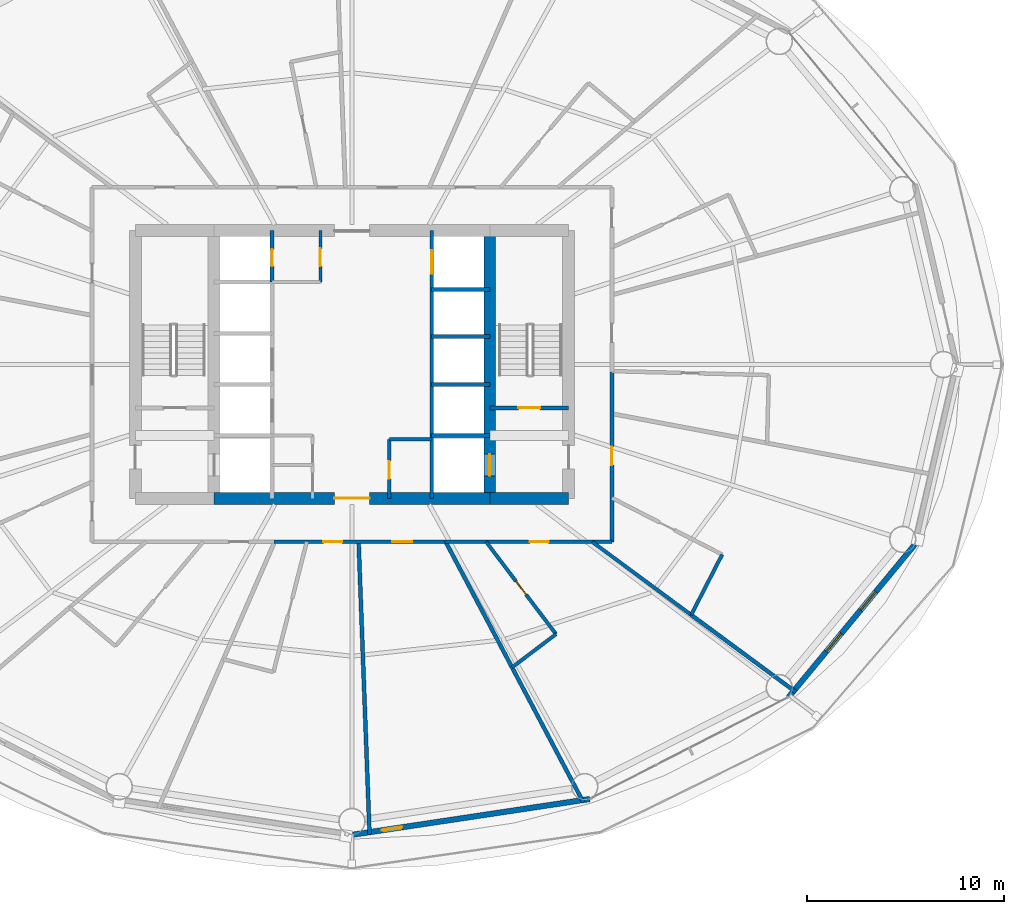
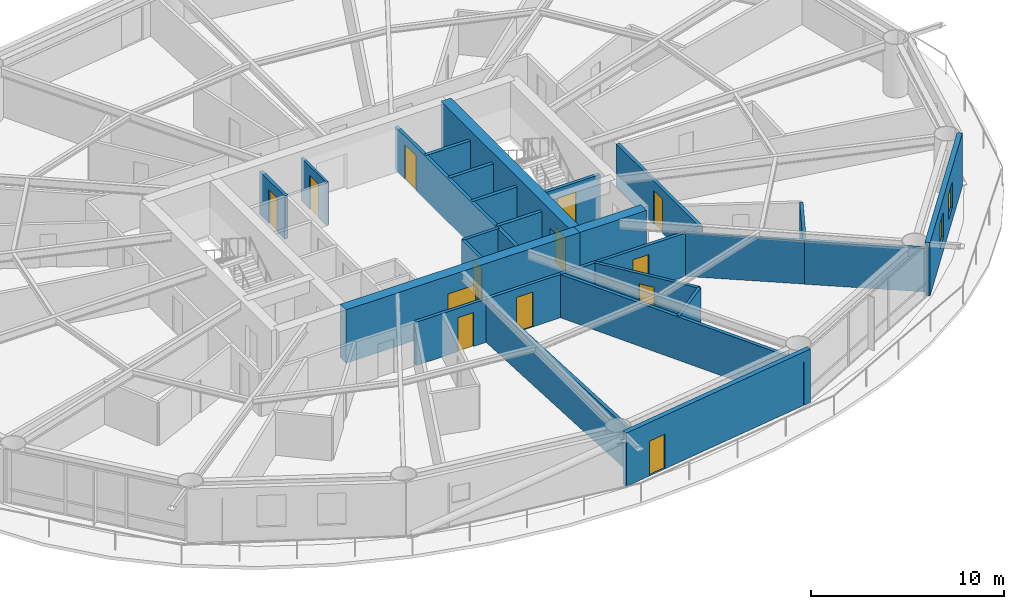
# One storey, part 21 of 26: 26 walls, 13 doors, 2 windows, 15 openings.
"""IFC4 building model written with IfcOpenShell, lengths in metres."""

from ifc_helpers import new_model, si_unit, direction, frame, frame_2d, origin, place, context, subcontext, project, spatial, rectangle, extrude, material, layer, layer_set, type_object, element, fill, save


model = new_model("IFC4")

# Units and contexts
model_context = context("Model", 3, precision=1e-05, world=origin(), true_north=direction((0.0, 1.0)))
body_context = subcontext(model_context, "Body", "Model", "MODEL_VIEW")
ifc_project = project(units=[si_unit("LENGTHUNIT", "METRE"), si_unit("AREAUNIT", "SQUARE_METRE"), si_unit("VOLUMEUNIT", "CUBIC_METRE"), si_unit("PLANEANGLEUNIT", "RADIAN"), si_unit("MASSUNIT", "GRAM", prefix="KILO")], contexts=[model_context])

# Site, building, storey
site_placement = place(None, origin())
site = spatial("IfcSite", under=ifc_project, at=site_placement, CompositionType="ELEMENT")
building_placement = place(site_placement, origin())
building = spatial("IfcBuilding", under=site, at=building_placement, Name="Sarneth Arch Tower", CompositionType="ELEMENT")
storey_placement = place(building_placement, frame((0.0, 0.0, 39.0)))
storey = spatial("IfcBuildingStorey", under=building, at=storey_placement, Name="L08", CompositionType="ELEMENT", Elevation=39.0)

# Wall, opening, door
ifc_material_1 = material(Name="Concrete C60/75", Category="concrete")
ifc_layer_1 = layer(ifc_material_1, 0.60009765625)
ifc_layer_set_1 = layer_set([ifc_layer_1], Name="Concrete C60/75")
wall_type_1 = type_object("IfcWallType", Name="WALL-CORE-600", PredefinedType="SHEAR", material=ifc_layer_set_1)
wall_1_placement = place(storey_placement, frame((41.0, 35.199951171875, 0.0), z_axis=(0.0, 0.0, 1.0), x_axis=(1.0, 0.0, 0.0)))
wall_1 = element("IfcWall", 1, at=wall_1_placement, inside=storey, type_object=wall_type_1, Name="L08 Core shear wall S-M", PredefinedType="SHEAR", context=body_context, shape_type="SweptSolid", body=[
    extrude(rectangle(XDim=14.0, YDim=0.60009765625, at=frame_2d((7.0, 0.0))), origin(), (0.0, 0.0, 1.0), 3.3798828125),
])
opening_1_placement = place(wall_1_placement, frame((6.10009765625, 0.0, 0.0)))
opening_1 = element("IfcOpeningElement", 2, at=opening_1_placement, cuts=wall_1, Name="Opening FD-01", PredefinedType="OPENING", context=body_context, shape_type="SweptSolid", body=[
    extrude(rectangle(XDim=1.800048828125, YDim=2.25, at=frame_2d((0.89990234375, 1.125))), frame((0.0, 0.31005859375, 0.0), z_axis=(0.0, -1.0, 0.0), x_axis=(1.0, 0.0, 0.0)), (0.0, 0.0, 1.0), 0.6201171875),
])
ifc_material_2 = material(Name="Galvanised Steel S275 fire door set", Category="steel")
door_type_1 = type_object("IfcDoorType", Name="DR-FD90-1800", OperationType="DOUBLE_DOOR_SINGLE_SWING", PredefinedType="DOOR", material=ifc_material_2)
door_1_placement = place(opening_1_placement, origin())
door_1 = element("IfcDoor", 3, at=door_1_placement, inside=storey, type_object=door_type_1, Name="L08 Central lift lobby south door", OperationType="DOUBLE_DOOR_SINGLE_SWING", OverallHeight=2.25, OverallWidth=1.800048828125, PredefinedType="DOOR", context=body_context, shape_type="SweptSolid", body=[
    extrude(rectangle(XDim=1.800048828125, YDim=2.25, at=frame_2d((0.89990234375, 1.125))), frame((0.0, 0.02490234375, 0.0), z_axis=(0.0, -1.0, 0.0), x_axis=(1.0, 0.0, 0.0)), (0.0, 0.0, 1.0), 0.050048828125),
])
fill(opening_1, door_1)

# Wall
wall_2_placement = place(storey_placement, frame((55.0, 35.199951171875, 0.0), z_axis=(0.0, 0.0, 1.0), x_axis=(1.0, 0.0, 0.0)))
element("IfcWall", 4, at=wall_2_placement, inside=storey, type_object=wall_type_1, Name="L08 Core shear wall S-E", PredefinedType="SHEAR", context=body_context, shape_type="SweptSolid", body=[
    extrude(rectangle(XDim=4.0, YDim=0.60009765625, at=frame_2d((2.0, 0.0))), origin(), (0.0, 0.0, 1.0), 3.3798828125),
])

# Wall, opening, door
wall_3_placement = place(storey_placement, frame((55.0, 35.199951171875, 0.0), z_axis=(0.0, 0.0, 1.0), x_axis=(0.0, 1.0, 0.0)))
wall_3 = element("IfcWall", 5, at=wall_3_placement, inside=storey, type_object=wall_type_1, Name="L08 Core shear wall WEB-E", PredefinedType="SHEAR", context=body_context, shape_type="SweptSolid", body=[
    extrude(rectangle(XDim=13.60009765625, YDim=0.60009765625, at=frame_2d((6.800048828125, 0.0))), origin(), (0.0, 0.0, 1.0), 3.3798828125),
])
opening_2_placement = place(wall_3_placement, frame((1.14990234375, 0.0, 0.0)))
opening_2 = element("IfcOpeningElement", 6, at=opening_2_placement, cuts=wall_3, Name="Opening LD-1", PredefinedType="OPENING", context=body_context, shape_type="SweptSolid", body=[
    extrude(rectangle(XDim=1.10009765625, YDim=2.199951171875, at=frame_2d((0.550048828125, 1.10009765625))), frame((0.0, 0.31005859375, 0.0), z_axis=(0.0, -1.0, 0.0), x_axis=(1.0, 0.0, 0.0)), (0.0, 0.0, 1.0), 0.6201171875),
])
ifc_material_3 = material(Name="Brushed Stainless Steel 304 lift landing door", Category="steel")
door_type_2 = type_object("IfcDoorType", Name="DR-LIFT-SLIDE-1100", OperationType="SLIDING_TO_LEFT", PredefinedType="DOOR", material=ifc_material_3)
door_2_placement = place(opening_2_placement, origin())
door_2 = element("IfcDoor", 7, at=door_2_placement, inside=storey, type_object=door_type_2, Name="L08 Firefighting lift landing door FL-2", OperationType="SLIDING_TO_RIGHT", OverallHeight=2.199951171875, OverallWidth=1.10009765625, PredefinedType="DOOR", context=body_context, shape_type="SweptSolid", body=[
    extrude(rectangle(XDim=1.10009765625, YDim=2.199951171875, at=frame_2d((0.550048828125, 1.10009765625))), frame((0.0, 0.02490234375, 0.0), z_axis=(0.0, -1.0, 0.0), x_axis=(1.0, 0.0, 0.0)), (0.0, 0.0, 1.0), 0.050048828125),
])
fill(opening_2, door_2)

ifc_material_4 = material(Name="Double steel-stud corridor fire wall", Category="steel")
ifc_layer_2 = layer(ifc_material_4, 0.18994140625)
ifc_layer_set_2 = layer_set([ifc_layer_2], Name="Double steel-stud corridor fire wall")
wall_type_2 = type_object("IfcWallType", Name="WALL-CORR-190", PredefinedType="PARTITIONING", material=ifc_layer_set_2)
wall_4_placement = place(storey_placement, frame((61.199951171875, 33.0, 0.0), z_axis=(0.0, 0.0, 1.0), x_axis=(-1.0, 0.0, 0.0)))
wall_4 = element("IfcWall", 8, at=wall_4_placement, inside=storey, type_object=wall_type_2, Name="L08 Interior partition W-L08-TP-023", PredefinedType="PARTITIONING", context=body_context, shape_type="SweptSolid", body=[
    extrude(rectangle(XDim=8.4794921875, YDim=0.18994140625, at=frame_2d((4.23974609375, 0.0))), origin(), (0.0, 0.0, 1.0), 2.739990234375),
])
opening_3_placement = place(wall_4_placement, frame((3.2158203125, 0.0, 0.0)))
opening_3 = element("IfcOpeningElement", 9, at=opening_3_placement, cuts=wall_4, Name="Opening FD-09", PredefinedType="OPENING", context=body_context, shape_type="SweptSolid", body=[
    extrude(rectangle(XDim=0.949951171875, YDim=2.14990234375, at=frame_2d((0.47509765625, 1.074951171875))), frame((0.0, 0.10498046875, 0.0), z_axis=(0.0, -1.0, 0.0), x_axis=(1.0, 0.0, 0.0)), (0.0, 0.0, 1.0), 0.2099609375),
])
ifc_material_5 = material(Name="Hardwood timber hotel entrance fire door", Category="wood")
door_type_3 = type_object("IfcDoorType", Name="DR-FD60-950", OperationType="SINGLE_SWING_RIGHT", PredefinedType="DOOR", material=ifc_material_5)
door_3_placement = place(opening_3_placement, origin())
door_3 = element("IfcDoor", 10, at=door_3_placement, inside=storey, type_object=door_type_3, Name="L08 Interior door DR-L08-KEY-12", OperationType="SINGLE_SWING_LEFT", OverallHeight=2.14990234375, OverallWidth=0.949951171875, PredefinedType="DOOR", context=body_context, shape_type="SweptSolid", body=[
    extrude(rectangle(XDim=0.949951171875, YDim=2.14990234375, at=frame_2d((0.47509765625, 1.074951171875))), frame((0.0, 0.02490234375, 0.0), z_axis=(0.0, -1.0, 0.0), x_axis=(1.0, 0.0, 0.0)), (0.0, 0.0, 1.0), 0.050048828125),
])
fill(opening_3, door_3)

# Wall, openings, doors
wall_5_placement = place(storey_placement, frame((52.792724609375, 33.0, 0.0), z_axis=(0.0, 0.0, 1.0), x_axis=(-1.0, 0.0, 0.0)))
wall_5 = element("IfcWall", 11, at=wall_5_placement, inside=storey, type_object=wall_type_2, Name="L08 Interior partition W-L08-TP-022", PredefinedType="PARTITIONING", context=body_context, shape_type="SweptSolid", body=[
    extrude(rectangle(XDim=8.75439453125, YDim=0.18994140625, at=frame_2d((4.377197265625, 0.0))), origin(), (0.0, 0.0, 1.0), 2.739990234375),
])
opening_4_placement = place(wall_5_placement, frame((1.743896484375, 0.0, 0.0)))
opening_4 = element("IfcOpeningElement", 12, at=opening_4_placement, cuts=wall_5, Name="Opening FD-08", PredefinedType="OPENING", context=body_context, shape_type="SweptSolid", body=[
    extrude(rectangle(XDim=1.0, YDim=2.199951171875, at=frame_2d((0.5, 1.10009765625))), frame((0.0, 0.10498046875, 0.0), z_axis=(0.0, -1.0, 0.0), x_axis=(1.0, 0.0, 0.0)), (0.0, 0.0, 1.0), 0.2099609375),
])
opening_5_placement = place(wall_5_placement, frame((5.298095703125, 0.0, 0.0)))
opening_5 = element("IfcOpeningElement", 13, at=opening_5_placement, cuts=wall_5, Name="Opening FD-09", PredefinedType="OPENING", context=body_context, shape_type="SweptSolid", body=[
    extrude(rectangle(XDim=0.949951171875, YDim=2.14990234375, at=frame_2d((0.47509765625, 1.074951171875))), frame((0.0, 0.10498046875, 0.0), z_axis=(0.0, -1.0, 0.0), x_axis=(1.0, 0.0, 0.0)), (0.0, 0.0, 1.0), 0.2099609375),
])
ifc_material_6 = material(Name="Hardwood timber acoustic fire door", Category="wood")
door_type_4 = type_object("IfcDoorType", Name="DR-FD60-1000", OperationType="SINGLE_SWING_LEFT", PredefinedType="DOOR", material=ifc_material_6)
door_4_placement = place(opening_4_placement, origin())
door_4 = element("IfcDoor", 14, at=door_4_placement, inside=storey, type_object=door_type_4, Name="L08 Interior door DR-L08-AMN-11", OperationType="SINGLE_SWING_RIGHT", OverallHeight=2.199951171875, OverallWidth=1.0, PredefinedType="DOOR", context=body_context, shape_type="SweptSolid", body=[
    extrude(rectangle(XDim=1.0, YDim=2.199951171875, at=frame_2d((0.5, 1.10009765625))), frame((0.0, 0.02490234375, 0.0), z_axis=(0.0, -1.0, 0.0), x_axis=(1.0, 0.0, 0.0)), (0.0, 0.0, 1.0), 0.050048828125),
])
fill(opening_4, door_4)
door_5_placement = place(opening_5_placement, origin())
door_5 = element("IfcDoor", 15, at=door_5_placement, inside=storey, type_object=door_type_3, Name="L08 Interior door DR-L08-KEY-10", OperationType="SINGLE_SWING_RIGHT", OverallHeight=2.14990234375, OverallWidth=0.949951171875, PredefinedType="DOOR", context=body_context, shape_type="SweptSolid", body=[
    extrude(rectangle(XDim=0.949951171875, YDim=2.14990234375, at=frame_2d((0.47509765625, 1.074951171875))), frame((0.0, 0.02490234375, 0.0), z_axis=(0.0, -1.0, 0.0), x_axis=(1.0, 0.0, 0.0)), (0.0, 0.0, 1.0), 0.050048828125),
])
fill(opening_5, door_5)

# Wall, opening, door
wall_6_placement = place(storey_placement, frame((61.199951171875, 41.6962890625, 0.0), z_axis=(0.0, 0.0, 1.0), x_axis=(0.0, -1.0, 0.0)))
wall_6 = element("IfcWall", 16, at=wall_6_placement, inside=storey, type_object=wall_type_2, Name="L08 Interior partition W-L08-TP-025", PredefinedType="PARTITIONING", context=body_context, shape_type="SweptSolid", body=[
    extrude(rectangle(XDim=8.6962890625, YDim=0.18994140625, at=frame_2d((4.34814453125, 0.0))), origin(), (0.0, 0.0, 1.0), 2.739990234375),
])
opening_6_placement = place(wall_6_placement, frame((3.859619140625, 0.0, 0.0)))
opening_6 = element("IfcOpeningElement", 17, at=opening_6_placement, cuts=wall_6, Name="Opening FD-09", PredefinedType="OPENING", context=body_context, shape_type="SweptSolid", body=[
    extrude(rectangle(XDim=0.949951171875, YDim=2.14990234375, at=frame_2d((0.47509765625, 1.074951171875))), frame((0.0, 0.10498046875, 0.0), z_axis=(0.0, -1.0, 0.0), x_axis=(1.0, 0.0, 0.0)), (0.0, 0.0, 1.0), 0.2099609375),
])
door_6_placement = place(opening_6_placement, origin())
door_6 = element("IfcDoor", 18, at=door_6_placement, inside=storey, type_object=door_type_3, Name="L08 Interior door DR-L08-KEY-13", OperationType="SINGLE_SWING_LEFT", OverallHeight=2.14990234375, OverallWidth=0.949951171875, PredefinedType="DOOR", context=body_context, shape_type="SweptSolid", body=[
    extrude(rectangle(XDim=0.949951171875, YDim=2.14990234375, at=frame_2d((0.47509765625, 1.074951171875))), frame((0.0, 0.02490234375, 0.0), z_axis=(0.0, -1.0, 0.0), x_axis=(1.0, 0.0, 0.0)), (0.0, 0.0, 1.0), 0.050048828125),
])
fill(opening_6, door_6)

ifc_material_7 = material(Name="Extruded terracotta rainscreen on Concrete C40/50 backing", Category="masonry")
ifc_layer_3 = layer(ifc_material_7, 0.280029296875)
ifc_layer_set_3 = layer_set([ifc_layer_3], Name="Extruded terracotta rainscreen on Concrete C40/50 backing")
wall_type_3 = type_object("IfcWallType", Name="WALL-EXT-TERRA-280", PredefinedType="SOLIDWALL", material=ifc_layer_set_3)
wall_7_placement = place(storey_placement, frame((48.0, 18.1201171875, 0.0), z_axis=(0.0, 0.0, 1.0), x_axis=(0.988864835849, 0.148816452121, 0.0)))
wall_7 = element("IfcWall", 19, at=wall_7_placement, inside=storey, type_object=wall_type_3, Name="L08 Terracotta perimeter wall 13", PredefinedType="SOLIDWALL", context=body_context, shape_type="SweptSolid", body=[
    extrude(rectangle(XDim=12.2138671875, YDim=0.280029296875, at=frame_2d((6.10693359375, 0.0))), origin(), (0.0, 0.0, 1.0), 3.3798828125),
])
opening_7_placement = place(wall_7_placement, frame((1.53125, 0.0, 0.0)))
opening_7 = element("IfcOpeningElement", 20, at=opening_7_placement, cuts=wall_7, Name="Opening BD-4", PredefinedType="OPENING", context=body_context, shape_type="SweptSolid", body=[
    extrude(rectangle(XDim=1.050048828125, YDim=2.199951171875, at=frame_2d((0.52490234375, 1.10009765625))), frame((0.0, 0.14990234375, 0.0), z_axis=(0.0, -1.0, 0.0), x_axis=(1.0, 0.0, 0.0)), (0.0, 0.0, 1.0), 0.300048828125),
])
ifc_material_8 = material(Name="Thermally broken Aluminium 6063-T6 and laminated safety glass", Category="aluminium")
door_type_5 = type_object("IfcDoorType", Name="DR-BALC-GLZ-1050", OperationType="SINGLE_SWING_RIGHT", PredefinedType="DOOR", material=ifc_material_8)
door_7_placement = place(opening_7_placement, origin())
door_7 = element("IfcDoor", 21, at=door_7_placement, inside=storey, type_object=door_type_5, Name="L08 Balcony glazed door 13", OperationType="SINGLE_SWING_RIGHT", OverallHeight=2.199951171875, OverallWidth=1.050048828125, PredefinedType="DOOR", context=body_context, shape_type="SweptSolid", body=[
    extrude(rectangle(XDim=1.050048828125, YDim=2.199951171875, at=frame_2d((0.52490234375, 1.10009765625))), frame((0.0, 0.02490234375, 0.0), z_axis=(0.0, -1.0, 0.0), x_axis=(1.0, 0.0, 0.0)), (0.0, 0.0, 1.0), 0.050048828125),
])
fill(opening_7, door_7)

# Wall, openings, windows
wall_8_placement = place(storey_placement, frame((70.174072265625, 25.1142578125, 0.0), z_axis=(0.0, 0.0, 1.0), x_axis=(0.637296809613, 0.770618437657, 0.0)))
wall_8 = element("IfcWall", 22, at=wall_8_placement, inside=storey, type_object=wall_type_3, Name="L08 Terracotta perimeter wall 15", PredefinedType="SOLIDWALL", context=body_context, shape_type="SweptSolid", body=[
    extrude(rectangle(XDim=10.053466796875, YDim=0.280029296875, at=frame_2d((5.02685546875, 0.0))), origin(), (0.0, 0.0, 1.0), 3.3798828125),
])
opening_8_placement = place(wall_8_placement, frame((2.998046875, 0.0, 0.85009765625)))
opening_8 = element("IfcOpeningElement", 23, at=opening_8_placement, cuts=wall_8, Name="Opening W-10", PredefinedType="OPENING", context=body_context, shape_type="SweptSolid", body=[
    extrude(rectangle(XDim=1.199951171875, YDim=1.60009765625, at=frame_2d((0.60009765625, 0.800048828125))), frame((0.0, 0.14990234375, 0.0), z_axis=(0.0, -1.0, 0.0), x_axis=(1.0, 0.0, 0.0)), (0.0, 0.0, 1.0), 0.300048828125),
])
opening_9_placement = place(wall_8_placement, frame((5.729736328125, 0.0, 0.85009765625)))
opening_9 = element("IfcOpeningElement", 24, at=opening_9_placement, cuts=wall_8, Name="Opening W-10", PredefinedType="OPENING", context=body_context, shape_type="SweptSolid", body=[
    extrude(rectangle(XDim=1.199951171875, YDim=1.60009765625, at=frame_2d((0.60009765625, 0.800048828125))), frame((0.0, 0.14990234375, 0.0), z_axis=(0.0, -1.0, 0.0), x_axis=(1.0, 0.0, 0.0)), (0.0, 0.0, 1.0), 0.300048828125),
])
ifc_material_9 = material(Name="Thermally broken Aluminium 6063-T6 and low-e laminated IGU", Category="aluminium")
window_type = type_object("IfcWindowType", Name="WIN-TWR-1200x1600", PartitioningType="SINGLE_PANEL", PredefinedType="WINDOW", material=ifc_material_9)
window_1_placement = place(opening_8_placement, origin())
window_1 = element("IfcWindow", 25, at=window_1_placement, inside=storey, type_object=window_type, Name="L08 Exterior window 15A", OverallHeight=1.60009765625, OverallWidth=1.199951171875, PartitioningType="SINGLE_PANEL", PredefinedType="WINDOW", context=body_context, shape_type="SweptSolid", body=[
    extrude(rectangle(XDim=1.199951171875, YDim=1.60009765625, at=frame_2d((0.60009765625, 0.800048828125))), frame((0.0, 0.030029296875, 0.0), z_axis=(0.0, -1.0, 0.0), x_axis=(1.0, 0.0, 0.0)), (0.0, 0.0, 1.0), 0.06005859375),
])
fill(opening_8, window_1)
window_2_placement = place(opening_9_placement, origin())
window_2 = element("IfcWindow", 26, at=window_2_placement, inside=storey, type_object=window_type, Name="L08 Exterior window 15B", OverallHeight=1.60009765625, OverallWidth=1.199951171875, PartitioningType="SINGLE_PANEL", PredefinedType="WINDOW", context=body_context, shape_type="SweptSolid", body=[
    extrude(rectangle(XDim=1.199951171875, YDim=1.60009765625, at=frame_2d((0.60009765625, 0.800048828125))), frame((0.0, 0.030029296875, 0.0), z_axis=(0.0, -1.0, 0.0), x_axis=(1.0, 0.0, 0.0)), (0.0, 0.0, 1.0), 0.06005859375),
])
fill(opening_9, window_2)

# Wall, opening, door
ifc_material_10 = material(Name="Acoustic gypsum stud partition", Category="gypsum")
ifc_layer_4 = layer(ifc_material_10, 0.14990234375)
ifc_layer_set_4 = layer_set([ifc_layer_4], Name="Acoustic gypsum stud partition")
wall_type_4 = type_object("IfcWallType", Name="WALL-PART-150", PredefinedType="PARTITIONING", material=ifc_layer_set_4)
wall_9_placement = place(storey_placement, frame((46.39990234375, 46.199951171875, 0.0), z_axis=(0.0, 0.0, 1.0), x_axis=(0.0, 1.0, 0.0)))
wall_9 = element("IfcWall", 27, at=wall_9_placement, inside=storey, type_object=wall_type_4, Name="L08 Interior partition W-L08-CSUP3-E", PredefinedType="PARTITIONING", context=body_context, shape_type="SweptSolid", body=[
    extrude(rectangle(XDim=2.60009765625, YDim=0.14990234375, at=frame_2d((1.300048828125, 0.0))), origin(), (0.0, 0.0, 1.0), 2.739990234375),
])
opening_10_placement = place(wall_9_placement, frame((0.800048828125, 0.0, 0.0)))
opening_10 = element("IfcOpeningElement", 28, at=opening_10_placement, cuts=wall_9, Name="Opening FD-10", PredefinedType="OPENING", context=body_context, shape_type="SweptSolid", body=[
    extrude(rectangle(XDim=0.89990234375, YDim=2.14990234375, at=frame_2d((0.449951171875, 1.074951171875))), frame((0.0, 0.0849609375, 0.0), z_axis=(0.0, -1.0, 0.0), x_axis=(1.0, 0.0, 0.0)), (0.0, 0.0, 1.0), 0.169921875),
])
ifc_material_11 = material(Name="Galvanised Steel S275 riser/service fire door", Category="steel")
door_type_6 = type_object("IfcDoorType", Name="DR-FD60-900", OperationType="SINGLE_SWING_LEFT", PredefinedType="DOOR", material=ifc_material_11)
door_8_placement = place(opening_10_placement, origin())
door_8 = element("IfcDoor", 29, at=door_8_placement, inside=storey, type_object=door_type_6, Name="L08 Interior door DR-L08-CSUP3", OperationType="SINGLE_SWING_LEFT", OverallHeight=2.14990234375, OverallWidth=0.89990234375, PredefinedType="DOOR", context=body_context, shape_type="SweptSolid", body=[
    extrude(rectangle(XDim=0.89990234375, YDim=2.14990234375, at=frame_2d((0.449951171875, 1.074951171875))), frame((0.0, 0.02490234375, 0.0), z_axis=(0.0, -1.0, 0.0), x_axis=(1.0, 0.0, 0.0)), (0.0, 0.0, 1.0), 0.050048828125),
])
fill(opening_10, door_8)

# Wall
ifc_material_12 = material(Name="Moisture-resistant plumbing chase wall", Category="gypsum")
ifc_layer_5 = layer(ifc_material_12, 0.179931640625)
ifc_layer_set_5 = layer_set([ifc_layer_5], Name="Moisture-resistant plumbing chase wall")
wall_type_5 = type_object("IfcWallType", Name="WALL-PLUMB-180", PredefinedType="PLUMBINGWALL", material=ifc_layer_set_5)
wall_10_placement = place(storey_placement, frame((49.89990234375, 38.199951171875, 0.0), z_axis=(0.0, 0.0, 1.0), x_axis=(1.0, 0.0, 0.0)))
element("IfcWall", 30, at=wall_10_placement, inside=storey, type_object=wall_type_5, Name="L08 Interior partition W-L08-AWC-N", PredefinedType="PLUMBINGWALL", context=body_context, shape_type="SweptSolid", body=[
    extrude(rectangle(XDim=2.150146484375, YDim=0.179931640625, at=frame_2d((1.0751953125, 0.0))), origin(), (0.0, 0.0, 1.0), 2.739990234375),
])

# Wall, opening, door
wall_11_placement = place(storey_placement, frame((49.89990234375, 35.199951171875, 0.0), z_axis=(0.0, 0.0, 1.0), x_axis=(0.0, 1.0, 0.0)))
wall_11 = element("IfcWall", 31, at=wall_11_placement, inside=storey, type_object=wall_type_5, Name="L08 Interior partition W-L08-AWC-W", PredefinedType="PLUMBINGWALL", context=body_context, shape_type="SweptSolid", body=[
    extrude(rectangle(XDim=3.0, YDim=0.179931640625, at=frame_2d((1.5, 0.0))), origin(), (0.0, 0.0, 1.0), 2.739990234375),
])
opening_11_placement = place(wall_11_placement, frame((1.0, 0.0, 0.0)))
opening_11 = element("IfcOpeningElement", 32, at=opening_11_placement, cuts=wall_11, Name="Opening ID-01", PredefinedType="OPENING", context=body_context, shape_type="SweptSolid", body=[
    extrude(rectangle(XDim=0.89990234375, YDim=2.10009765625, at=frame_2d((0.449951171875, 1.050048828125))), frame((0.0, 0.099853515625, 0.0), z_axis=(0.0, -1.0, 0.0), x_axis=(1.0, 0.0, 0.0)), (0.0, 0.0, 1.0), 0.199951171875),
])
ifc_material_13 = material(Name="Engineered hardwood flush door", Category="wood")
door_type_7 = type_object("IfcDoorType", Name="DR-INT-900", OperationType="SINGLE_SWING_LEFT", PredefinedType="DOOR", material=ifc_material_13)
door_9_placement = place(opening_11_placement, origin())
door_9 = element("IfcDoor", 33, at=door_9_placement, inside=storey, type_object=door_type_7, Name="L08 Interior door DR-L08-AWC", OperationType="SINGLE_SWING_RIGHT", OverallHeight=2.10009765625, OverallWidth=0.89990234375, PredefinedType="DOOR", context=body_context, shape_type="SweptSolid", body=[
    extrude(rectangle(XDim=0.89990234375, YDim=2.10009765625, at=frame_2d((0.449951171875, 1.050048828125))), frame((0.0, 0.02490234375, 0.0), z_axis=(0.0, -1.0, 0.0), x_axis=(1.0, 0.0, 0.0)), (0.0, 0.0, 1.0), 0.050048828125),
])
fill(opening_11, door_9)

# Wall
wall_12_placement = place(storey_placement, frame((65.22509765625, 29.287109375, 0.0), z_axis=(0.0, 0.0, 1.0), x_axis=(-0.804582519588, 0.593840861825, 0.0)))
element("IfcWall", 34, at=wall_12_placement, inside=storey, type_object=wall_type_5, Name="L08 Interior partition W-L08-TP-070", PredefinedType="PLUMBINGWALL", context=body_context, shape_type="SweptSolid", body=[
    extrude(rectangle(XDim=6.25244140625, YDim=0.179931640625, at=frame_2d((3.126220703125, 0.0))), origin(), (0.0, 0.0, 1.0), 2.739990234375),
])

# Wall, opening, door
wall_13_placement = place(storey_placement, frame((58.359619140625, 28.309326171875, 0.0), z_axis=(0.0, 0.0, 1.0), x_axis=(-0.603401299207, 0.797437691682, 0.0)))
wall_13 = element("IfcWall", 35, at=wall_13_placement, inside=storey, type_object=wall_type_5, Name="L08 Interior partition W-L08-TP-068", PredefinedType="PLUMBINGWALL", context=body_context, shape_type="SweptSolid", body=[
    extrude(rectangle(XDim=5.882080078125, YDim=0.179931640625, at=frame_2d((2.94091796875, 0.0))), origin(), (0.0, 0.0, 1.0), 2.739990234375),
])
opening_12_placement = place(wall_13_placement, frame((2.51611328125, 0.0, 0.0)))
opening_12 = element("IfcOpeningElement", 36, at=opening_12_placement, cuts=wall_13, Name="Opening ID-02", PredefinedType="OPENING", context=body_context, shape_type="SweptSolid", body=[
    extrude(rectangle(XDim=0.85009765625, YDim=2.10009765625, at=frame_2d((0.425048828125, 1.050048828125))), frame((0.0, 0.099853515625, 0.0), z_axis=(0.0, -1.0, 0.0), x_axis=(1.0, 0.0, 0.0)), (0.0, 0.0, 1.0), 0.199951171875),
])
ifc_material_14 = material(Name="Moisture-resistant bathroom timber door", Category="wood")
door_type_8 = type_object("IfcDoorType", Name="DR-INT-850", OperationType="SINGLE_SWING_RIGHT", PredefinedType="DOOR", material=ifc_material_14)
door_10_placement = place(opening_12_placement, origin())
door_10 = element("IfcDoor", 37, at=door_10_placement, inside=storey, type_object=door_type_8, Name="L08 Interior door DR-L08-ENS-12", OperationType="SINGLE_SWING_LEFT", OverallHeight=2.10009765625, OverallWidth=0.85009765625, PredefinedType="DOOR", context=body_context, shape_type="SweptSolid", body=[
    extrude(rectangle(XDim=0.85009765625, YDim=2.10009765625, at=frame_2d((0.425048828125, 1.050048828125))), frame((0.0, 0.02490234375, 0.0), z_axis=(0.0, -1.0, 0.0), x_axis=(1.0, 0.0, 0.0)), (0.0, 0.0, 1.0), 0.050048828125),
])
fill(opening_12, door_10)

# Walls
wall_14_placement = place(storey_placement, frame((66.7978515625, 32.35107421875, 0.0), z_axis=(0.0, 0.0, 1.0), x_axis=(-0.456659133546, -0.889641745732, 0.0)))
element("IfcWall", 38, at=wall_14_placement, inside=storey, type_object=wall_type_5, Name="L08 Interior partition W-L08-TP-072", PredefinedType="PLUMBINGWALL", context=body_context, shape_type="SweptSolid", body=[
    extrude(rectangle(XDim=3.444091796875, YDim=0.179931640625, at=frame_2d((1.72216796875, 0.0))), origin(), (0.0, 0.0, 1.0), 2.739990234375),
])
wall_15_placement = place(storey_placement, frame((56.128173828125, 26.620849609375, 0.0), z_axis=(0.0, 0.0, 1.0), x_axis=(0.797438154909, 0.603400687019, 0.0)))
element("IfcWall", 39, at=wall_15_placement, inside=storey, type_object=wall_type_5, Name="L08 Interior partition W-L08-TP-067", PredefinedType="PLUMBINGWALL", context=body_context, shape_type="SweptSolid", body=[
    extrude(rectangle(XDim=2.79833984375, YDim=0.179931640625, at=frame_2d((1.399169921875, 0.0))), origin(), (0.0, 0.0, 1.0), 2.739990234375),
])

# Wall, opening, door
ifc_material_15 = material(Name="Aerated concrete blockwork C25/30", Category="masonry")
ifc_layer_6 = layer(ifc_material_15, 0.199951171875)
ifc_layer_set_6 = layer_set([ifc_layer_6], Name="Aerated concrete blockwork C25/30")
wall_type_6 = type_object("IfcWallType", Name="WALL-SHAFT-200", PredefinedType="SOLIDWALL", material=ifc_layer_set_6)
wall_16_placement = place(storey_placement, frame((55.0, 39.800048828125, 0.0), z_axis=(0.0, 0.0, 1.0), x_axis=(1.0, 0.0, 0.0)))
wall_16 = element("IfcWall", 40, at=wall_16_placement, inside=storey, type_object=wall_type_6, Name="L08 Interior partition W-L08-ST2-S", PredefinedType="SOLIDWALL", context=body_context, shape_type="SweptSolid", body=[
    extrude(rectangle(XDim=4.0, YDim=0.199951171875, at=frame_2d((2.0, 0.0))), origin(), (0.0, 0.0, 1.0), 2.739990234375),
])
opening_13_placement = place(wall_16_placement, frame((1.449951171875, 0.0, 0.0)))
opening_13 = element("IfcOpeningElement", 41, at=opening_13_placement, cuts=wall_16, Name="Opening FD-03", PredefinedType="OPENING", context=body_context, shape_type="SweptSolid", body=[
    extrude(rectangle(XDim=1.10009765625, YDim=2.14990234375, at=frame_2d((0.550048828125, 1.074951171875))), frame((0.0, 0.10986328125, 0.0), z_axis=(0.0, -1.0, 0.0), x_axis=(1.0, 0.0, 0.0)), (0.0, 0.0, 1.0), 0.219970703125),
])
ifc_material_16 = material(Name="Galvanised Steel S275 fire door set", Category="steel")
door_type_9 = type_object("IfcDoorType", Name="DR-FD90-1100", OperationType="SINGLE_SWING_LEFT", PredefinedType="DOOR", material=ifc_material_16)
door_11_placement = place(opening_13_placement, origin())
door_11 = element("IfcDoor", 42, at=door_11_placement, inside=storey, type_object=door_type_9, Name="L08 Interior door DR-L08-ST2", OperationType="SINGLE_SWING_RIGHT", OverallHeight=2.14990234375, OverallWidth=1.10009765625, PredefinedType="DOOR", context=body_context, shape_type="SweptSolid", body=[
    extrude(rectangle(XDim=1.10009765625, YDim=2.14990234375, at=frame_2d((0.550048828125, 1.074951171875))), frame((0.0, 0.02490234375, 0.0), z_axis=(0.0, -1.0, 0.0), x_axis=(1.0, 0.0, 0.0)), (0.0, 0.0, 1.0), 0.050048828125),
])
fill(opening_13, door_11)

# Walls
wall_17_placement = place(storey_placement, frame((52.050048828125, 35.199951171875, 0.0), z_axis=(0.0, 0.0, 1.0), x_axis=(0.0, 1.0, 0.0)))
element("IfcWall", 43, at=wall_17_placement, inside=storey, type_object=wall_type_6, Name="L08 Interior partition W-L08-FL2-W", PredefinedType="SOLIDWALL", context=body_context, shape_type="SweptSolid", body=[
    extrude(rectangle(XDim=3.199951171875, YDim=0.199951171875, at=frame_2d((1.60009765625, 0.0))), origin(), (0.0, 0.0, 1.0), 2.739990234375),
])
wall_18_placement = place(storey_placement, frame((52.050048828125, 38.39990234375, 0.0), z_axis=(0.0, 0.0, 1.0), x_axis=(1.0, 0.0, 0.0)))
element("IfcWall", 44, at=wall_18_placement, inside=storey, type_object=wall_type_6, Name="L08 Interior partition W-L08-FL2-N", PredefinedType="SOLIDWALL", context=body_context, shape_type="SweptSolid", body=[
    extrude(rectangle(XDim=2.949951171875, YDim=0.199951171875, at=frame_2d((1.47509765625, 0.0))), origin(), (0.0, 0.0, 1.0), 2.739990234375),
])

# Wall, opening, door
wall_19_placement = place(storey_placement, frame((43.949951171875, 46.199951171875, 0.0), z_axis=(0.0, 0.0, 1.0), x_axis=(0.0, 1.0, 0.0)))
wall_19 = element("IfcWall", 45, at=wall_19_placement, inside=storey, type_object=wall_type_6, Name="L08 Interior partition W-L08-RISER-E", PredefinedType="SOLIDWALL", context=body_context, shape_type="SweptSolid", body=[
    extrude(rectangle(XDim=2.60009765625, YDim=0.199951171875, at=frame_2d((1.300048828125, 0.0))), origin(), (0.0, 0.0, 1.0), 2.739990234375),
])
opening_14_placement = place(wall_19_placement, frame((0.800048828125, 0.0, 0.0)))
opening_14 = element("IfcOpeningElement", 46, at=opening_14_placement, cuts=wall_19, Name="Opening FD-11", PredefinedType="OPENING", context=body_context, shape_type="SweptSolid", body=[
    extrude(rectangle(XDim=0.85009765625, YDim=2.14990234375, at=frame_2d((0.425048828125, 1.074951171875))), frame((0.0, 0.10986328125, 0.0), z_axis=(0.0, -1.0, 0.0), x_axis=(1.0, 0.0, 0.0)), (0.0, 0.0, 1.0), 0.219970703125),
])
ifc_material_17 = material(Name="Galvanised Steel S275 closet fire door", Category="steel")
door_type_10 = type_object("IfcDoorType", Name="DR-FD60-850", OperationType="SINGLE_SWING_LEFT", PredefinedType="DOOR", material=ifc_material_17)
door_12_placement = place(opening_14_placement, origin())
door_12 = element("IfcDoor", 47, at=door_12_placement, inside=storey, type_object=door_type_10, Name="L08 Lift landing door DR-L08-RISER", OperationType="SINGLE_SWING_LEFT", OverallHeight=2.14990234375, OverallWidth=0.85009765625, PredefinedType="DOOR", context=body_context, shape_type="SweptSolid", body=[
    extrude(rectangle(XDim=0.85009765625, YDim=2.14990234375, at=frame_2d((0.425048828125, 1.074951171875))), frame((0.0, 0.02490234375, 0.0), z_axis=(0.0, -1.0, 0.0), x_axis=(1.0, 0.0, 0.0)), (0.0, 0.0, 1.0), 0.050048828125),
])
fill(opening_14, door_12)

wall_20_placement = place(storey_placement, frame((52.050048828125, 38.39990234375, 0.0), z_axis=(0.0, 0.0, 1.0), x_axis=(0.0, 1.0, 0.0)))
wall_20 = element("IfcWall", 48, at=wall_20_placement, inside=storey, type_object=wall_type_6, Name="L08 Interior partition W-L08-EASTBANK-FRONT", PredefinedType="SOLIDWALL", context=body_context, shape_type="SweptSolid", body=[
    extrude(rectangle(XDim=10.400146484375, YDim=0.199951171875, at=frame_2d((5.2001953125, 0.0))), origin(), (0.0, 0.0, 1.0), 2.739990234375),
])
opening_15_placement = place(wall_20_placement, frame((8.199951171875, 0.0, 0.0)))
opening_15 = element("IfcOpeningElement", 49, at=opening_15_placement, cuts=wall_20, Name="Opening LD-2", PredefinedType="OPENING", context=body_context, shape_type="SweptSolid", body=[
    extrude(rectangle(XDim=1.199951171875, YDim=2.199951171875, at=frame_2d((0.60009765625, 1.10009765625))), frame((0.0, 0.10986328125, 0.0), z_axis=(0.0, -1.0, 0.0), x_axis=(1.0, 0.0, 0.0)), (0.0, 0.0, 1.0), 0.219970703125),
])
ifc_material_18 = material(Name="Brushed Stainless Steel 304 service lift door", Category="steel")
door_type_11 = type_object("IfcDoorType", Name="DR-LIFT-SLIDE-1200", OperationType="SLIDING_TO_RIGHT", PredefinedType="DOOR", material=ifc_material_18)
door_13_placement = place(opening_15_placement, origin())
door_13 = element("IfcDoor", 50, at=door_13_placement, inside=storey, type_object=door_type_11, Name="L08 Lift landing door DR-L08-LD-SL1", OperationType="SLIDING_TO_RIGHT", OverallHeight=2.199951171875, OverallWidth=1.199951171875, PredefinedType="DOOR", context=body_context, shape_type="SweptSolid", body=[
    extrude(rectangle(XDim=1.199951171875, YDim=2.199951171875, at=frame_2d((0.60009765625, 1.10009765625))), frame((0.0, 0.02490234375, 0.0), z_axis=(0.0, -1.0, 0.0), x_axis=(1.0, 0.0, 0.0)), (0.0, 0.0, 1.0), 0.050048828125),
])
fill(opening_15, door_13)

# Walls
for number, where, z_axis, x_axis, name in (
    (51, (52.050048828125, 40.97998046875, 0.0), (0.0, 0.0, 1.0), (1.0, 0.0, 0.0), "L08 Interior partition W-L08-EB-DIV-4098"),
    (52, (52.050048828125, 43.419921875, 0.0), (0.0, 0.0, 1.0), (1.0, 0.0, 0.0), "L08 Interior partition W-L08-EB-DIV-4342"),
    (53, (52.050048828125, 45.800048828125, 0.0), (0.0, 0.0, 1.0), (1.0, 0.0, 0.0), "L08 Interior partition W-L08-EB-DIV-4580"),
):
    element("IfcWall", number, at=place(storey_placement, frame(where, z_axis=z_axis, x_axis=x_axis)), inside=storey, type_object=wall_type_6, Name=name, PredefinedType="SOLIDWALL", context=body_context, shape_type="SweptSolid", body=[
        extrude(rectangle(XDim=2.949951171875, YDim=0.199951171875, at=frame_2d((1.47509765625, 0.0))), origin(), (0.0, 0.0, 1.0), 2.739990234375),
    ])
ifc_material_19 = material(Name="Double steel-stud acoustic drywall", Category="steel")
ifc_layer_7 = layer(ifc_material_19, 0.199951171875)
ifc_layer_set_7 = layer_set([ifc_layer_7], Name="Double steel-stud acoustic drywall")
wall_type_7 = type_object("IfcWallType", Name="WALL-UNIT-200", PredefinedType="PARTITIONING", material=ifc_layer_set_7)
wall_21_placement = place(storey_placement, frame((48.89306640625, 18.1337890625, 0.0), z_axis=(0.0, 0.0, 1.0), x_axis=(-0.037384345878, 0.999300961014, 0.0)))
element("IfcWall", 54, at=wall_21_placement, inside=storey, type_object=wall_type_7, Name="L08 Interior partition W-L08-TP-064", PredefinedType="PARTITIONING", context=body_context, shape_type="SweptSolid", body=[
    extrude(rectangle(XDim=14.876708984375, YDim=0.199951171875, at=frame_2d((7.4384765625, 0.0))), origin(), (0.0, 0.0, 1.0), 2.739990234375),
])
wall_22_placement = place(storey_placement, frame((52.756591796875, 33.0, 0.0), z_axis=(0.0, 0.0, 1.0), x_axis=(0.467270516294, -0.884114395654, 0.0)))
element("IfcWall", 55, at=wall_22_placement, inside=storey, type_object=wall_type_7, Name="L08 Interior partition W-L08-TP-065", PredefinedType="PARTITIONING", context=body_context, shape_type="SweptSolid", body=[
    extrude(rectangle(XDim=14.960205078125, YDim=0.199951171875, at=frame_2d((7.47998046875, 0.0))), origin(), (0.0, 0.0, 1.0), 2.739990234375),
])
wall_23_placement = place(storey_placement, frame((70.5380859375, 25.3662109375, 0.0), z_axis=(0.0, 0.0, 1.0), x_axis=(-0.804616980297, 0.593794168898, 0.0)))
element("IfcWall", 56, at=wall_23_placement, inside=storey, type_object=wall_type_7, Name="L08 Interior partition W-L08-TP-069", PredefinedType="PARTITIONING", context=body_context, shape_type="SweptSolid", body=[
    extrude(rectangle(XDim=6.60302734375, YDim=0.199951171875, at=frame_2d((3.301513671875, 0.0))), origin(), (0.0, 0.0, 1.0), 2.739990234375),
])

save(model, "model.ifc")
